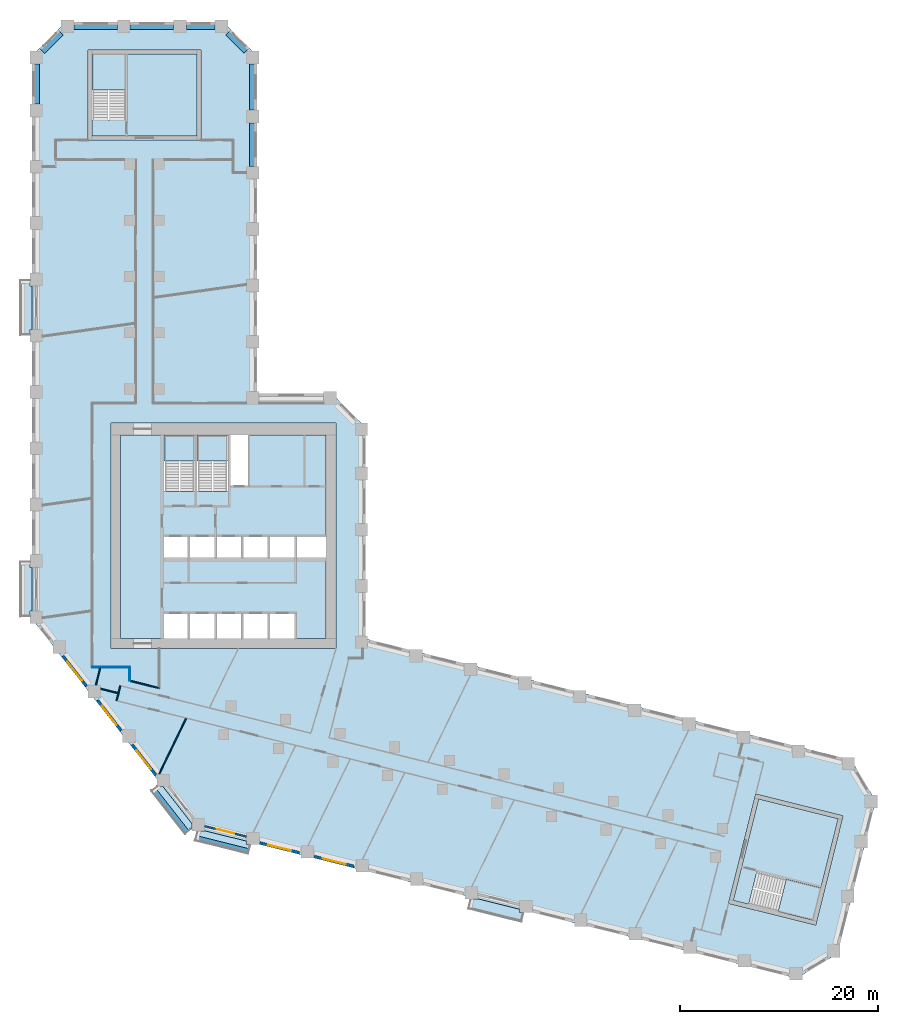
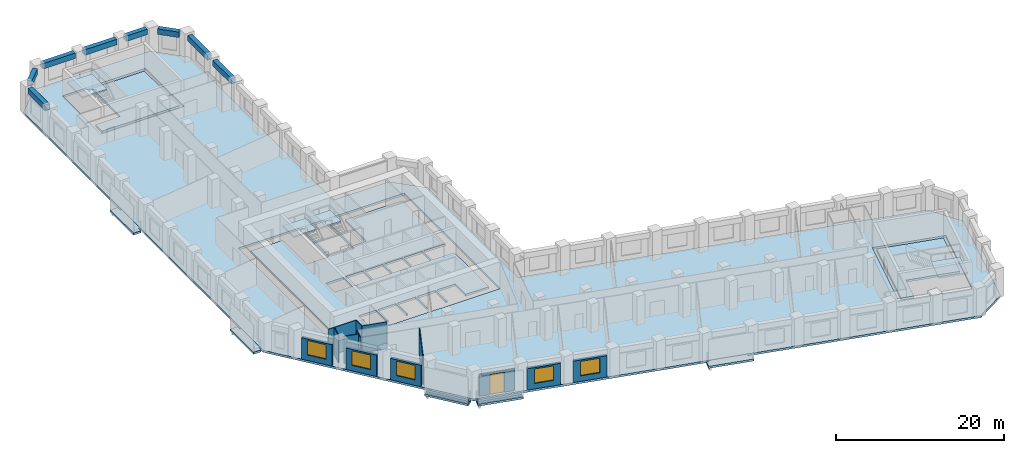
# One storey, part 2 of 11: 15 walls, 13 slabs, 8 beams, 5 windows, 1 door, 6 openings, 4 elements without a shape of their own.
"""IFC4 building model written with IfcOpenShell, lengths in metres."""

from ifc_helpers import new_model, si_unit, direction, frame, frame_2d, origin, origin_2d, place, context, subcontext, project, spatial, polyline, rectangle, outline, extrude, material, layer, layer_set, material_profile, profile_set, type_object, element, fill, aggregate, save


model = new_model("IFC4")

# Units and contexts
model_context = context("Model", 3, precision=1e-05, world=origin(), true_north=direction((0.0, 1.0)))
body_context = subcontext(model_context, "Body", "Model", "MODEL_VIEW")
ifc_project = project(units=[si_unit("LENGTHUNIT", "METRE"), si_unit("AREAUNIT", "SQUARE_METRE"), si_unit("VOLUMEUNIT", "CUBIC_METRE"), si_unit("PLANEANGLEUNIT", "RADIAN"), si_unit("MASSUNIT", "GRAM", prefix="KILO")], contexts=[model_context])

# Site, building, storey
site_placement = place(None, origin())
site = spatial("IfcSite", under=ifc_project, at=site_placement, CompositionType="ELEMENT")
building_placement = place(site_placement, origin())
building = spatial("IfcBuilding", under=site, at=building_placement, Name="Meshkara Civic Tower", CompositionType="ELEMENT")
storey_placement = place(building_placement, frame((0.0, 0.0, 105.60009765625)))
storey = spatial("IfcBuildingStorey", under=building, at=storey_placement, Name="L23", CompositionType="ELEMENT", Elevation=105.60009765625)

# Beams
ifc_material_1 = material(Name="Concrete C70", Category="concrete")
ifc_material_profile = material_profile(ifc_material_1, rectangle(XDim=0.60009765625, YDim=0.800048828125, at=origin_2d()))
ifc_profile_set = profile_set([ifc_material_profile], Name="Concrete C70")
beam_type = type_object("IfcBeamType", Name="Spandrel beam RC 600x800 C70", PredefinedType="BEAM", material=ifc_profile_set)
beam_1_placement = place(storey_placement, frame((22.35009765625, 62.89501953125, 3.5), z_axis=(0.0, 1.0, 0.0), x_axis=(-1.0, 0.0, 0.0)))
element("IfcBeam", 1, at=beam_1_placement, inside=storey, type_object=beam_type, Name="Spandrel beam AE04-AE05", PredefinedType="BEAM", context=body_context, shape_type="SweptSolid", body=[
    extrude(rectangle(XDim=0.60009765625, YDim=0.800048828125, at=origin_2d()), origin(), (0.0, 0.0, 1.0), 4.409912109375),
])
beam_2_placement = place(storey_placement, frame((22.35009765625, 68.594970703125, 3.5), z_axis=(0.0, 1.0, 0.0), x_axis=(-1.0, 0.0, 0.0)))
element("IfcBeam", 2, at=beam_2_placement, inside=storey, type_object=beam_type, Name="Spandrel beam AE05-AEEP1", PredefinedType="BEAM", context=body_context, shape_type="SweptSolid", body=[
    extrude(rectangle(XDim=0.60009765625, YDim=0.800048828125, at=origin_2d()), origin(), (0.0, 0.0, 1.0), 4.674072265625),
])
beam_3_placement = place(storey_placement, frame((21.70361328125, 74.560546875, 3.5), z_axis=(-0.707106781187, 0.707106781187, 0.0), x_axis=(-0.707106781187, -0.707106781187, 0.0)))
element("IfcBeam", 3, at=beam_3_placement, inside=storey, type_object=beam_type, Name="Spandrel beam AEEP1-ATiEP1", PredefinedType="BEAM", context=body_context, shape_type="SweptSolid", body=[
    extrude(rectangle(XDim=0.60009765625, YDim=0.800048828125, at=origin_2d()), origin(), (0.0, 0.0, 1.0), 2.634765625),
])
beam_4_placement = place(storey_placement, frame((18.549072265625, 77.070068359375, 3.5), z_axis=(-1.0, 0.0, 0.0), x_axis=(0.0, -1.0, 0.0)))
element("IfcBeam", 4, at=beam_4_placement, inside=storey, type_object=beam_type, Name="Spandrel beam AT02-P1-ATiEP1", PredefinedType="BEAM", context=body_context, shape_type="SweptSolid", body=[
    extrude(rectangle(XDim=0.60009765625, YDim=0.800048828125, at=origin_2d()), origin(), (0.0, 0.0, 1.0), 2.898193359375),
])
beam_5_placement = place(storey_placement, frame((14.361083984375, 77.070068359375, 3.5), z_axis=(-1.0, 0.0, 0.0), x_axis=(0.0, -1.0, 0.0)))
element("IfcBeam", 5, at=beam_5_placement, inside=storey, type_object=beam_type, Name="Spandrel beam AT01-P1-AT02-P1", PredefinedType="BEAM", context=body_context, shape_type="SweptSolid", body=[
    extrude(rectangle(XDim=0.60009765625, YDim=0.800048828125, at=origin_2d()), origin(), (0.0, 0.0, 1.0), 4.41015625),
])
beam_6_placement = place(storey_placement, frame((8.660888671875, 77.070068359375, 3.5), z_axis=(-1.0, 0.0, 0.0), x_axis=(0.0, -1.0, 0.0)))
element("IfcBeam", 6, at=beam_6_placement, inside=storey, type_object=beam_type, Name="Spandrel beam AT00-P1-AT01-P1", PredefinedType="BEAM", context=body_context, shape_type="SweptSolid", body=[
    extrude(rectangle(XDim=0.60009765625, YDim=0.800048828125, at=origin_2d()), origin(), (0.0, 0.0, 1.0), 4.409912109375),
])
beam_7_placement = place(storey_placement, frame((2.95947265625, 76.423583984375, 3.5), z_axis=(-0.707106781187, -0.707106781187, 0.0), x_axis=(0.707106781187, -0.707106781187, 0.0)))
element("IfcBeam", 7, at=beam_7_placement, inside=storey, type_object=beam_type, Name="Spandrel beam AT00-P1-ATo00-P1", PredefinedType="BEAM", context=body_context, shape_type="SweptSolid", body=[
    extrude(rectangle(XDim=0.60009765625, YDim=0.800048828125, at=origin_2d()), origin(), (0.0, 0.0, 1.0), 2.634765625),
])
beam_8_placement = place(storey_placement, frame((0.449951171875, 73.26904296875, 3.5), z_axis=(0.0, -1.0, 0.0), x_axis=(1.0, 0.0, 0.0)))
element("IfcBeam", 8, at=beam_8_placement, inside=storey, type_object=beam_type, Name="Spandrel beam ATo00-P1-AW09", PredefinedType="BEAM", context=body_context, shape_type="SweptSolid", body=[
    extrude(rectangle(XDim=0.60009765625, YDim=0.800048828125, at=origin_2d()), origin(), (0.0, 0.0, 1.0), 4.069091796875),
])

# Slabs
ifc_material_2 = material(Name="Concrete C40", Category="concrete")
ifc_layer_1 = layer(ifc_material_2, 0.300048828125)
ifc_layer_set_1 = layer_set([ifc_layer_1], Name="BALCONY SLAB")
slab_type_1 = type_object("IfcSlabType", Name="BALCONY SLAB", PredefinedType="FLOOR", material=ifc_layer_set_1)
slab_1_placement = place(storey_placement, frame((0.0, 0.0, -0.300048828125)))
element("IfcSlab", 9, at=slab_1_placement, inside=storey, type_object=slab_type_1, Name="Balcony slab", PredefinedType="FLOOR", context=body_context, shape_type="SweptSolid", body=[
    extrude(outline(polyline([(-1.199951171875, 45.81494140625), (-1.199951171875, 51.39501953125), (-0.199951171875, 51.39501953125), (-0.199951171875, 50.804931640625), (0.0, 50.804931640625), (0.0, 46.405029296875), (-0.199951171875, 46.405029296875), (-0.199951171875, 45.81494140625), (-1.199951171875, 45.81494140625)])), origin(), (0.0, 0.0, 1.0), 0.300048828125),
])
slab_2_placement = place(storey_placement, frame((0.0, 0.0, -0.300048828125)))
element("IfcSlab", 10, at=slab_2_placement, inside=storey, type_object=slab_type_1, Name="Balcony slab", PredefinedType="FLOOR", context=body_context, shape_type="SweptSolid", body=[
    extrude(outline(polyline([(-1.199951171875, 17.31494140625), (-1.199951171875, 22.89501953125), (-0.199951171875, 22.89501953125), (-0.199951171875, 22.304931640625), (0.0, 22.304931640625), (0.0, 17.905029296875), (-0.199951171875, 17.905029296875), (-0.199951171875, 17.31494140625), (-1.199951171875, 17.31494140625)])), origin(), (0.0, 0.0, 1.0), 0.300048828125),
])
slab_3_placement = place(storey_placement, frame((0.0, 0.0, -0.300048828125)))
element("IfcSlab", 11, at=slab_3_placement, inside=storey, type_object=slab_type_1, Name="Balcony slab", PredefinedType="FLOOR", context=body_context, shape_type="SweptSolid", body=[
    extrude(outline(polyline([(15.513916015625, -4.7060546875), (12.0791015625, -0.30908203125), (12.69189453125, 0.169921875), (12.69189453125, 0.10400390625), (13.279052734375, 0.10400390625), (16.200927734375, -3.636962890625), (16.200927734375, -4.169921875), (15.513916015625, -4.7060546875)])), origin(), (0.0, 0.0, 1.0), 0.300048828125),
])
slab_4_placement = place(storey_placement, frame((0.0, 0.0, -0.300048828125)))
element("IfcSlab", 12, at=slab_4_placement, inside=storey, type_object=slab_type_1, Name="Balcony slab", PredefinedType="FLOOR", context=body_context, shape_type="SweptSolid", body=[
    extrude(outline(polyline([(21.925048828125, -6.702880859375), (16.510009765625, -5.35302734375), (16.7509765625, -4.387939453125), (17.5009765625, -4.387939453125), (17.5009765625, -4.364013671875), (21.73193359375, -5.41796875), (21.73193359375, -5.76708984375), (22.157958984375, -5.76708984375), (21.925048828125, -6.702880859375)])), origin(), (0.0, 0.0, 1.0), 0.300048828125),
])
slab_5_placement = place(storey_placement, frame((0.0, 0.0, -0.300048828125)))
element("IfcSlab", 13, at=slab_5_placement, inside=storey, type_object=slab_type_1, Name="Balcony slab", PredefinedType="FLOOR", context=body_context, shape_type="SweptSolid", body=[
    extrude(outline(polyline([(49.577880859375, -13.597900390625), (44.1640625, -12.248046875), (44.405029296875, -11.281982421875), (45.155029296875, -11.281982421875), (45.155029296875, -11.258056640625), (49.385009765625, -12.31298828125), (49.385009765625, -12.660888671875), (49.81103515625, -12.660888671875), (49.577880859375, -13.597900390625)])), origin(), (0.0, 0.0, 1.0), 0.300048828125),
])
ifc_material_3 = material(Name="Concrete C40/50", Category="concrete")
ifc_layer_2 = layer(ifc_material_3, 0.300048828125)
ifc_layer_set_2 = layer_set([ifc_layer_2], Name="Core floor slab 300 C40/50")
slab_type_2 = type_object("IfcSlabType", Name="Core floor slab 300 C40/50", PredefinedType="FLOOR", material=ifc_layer_set_2)
slab_6_placement = place(storey_placement, frame((0.0, 0.0, -0.300048828125)))
element("IfcSlab", 14, at=slab_6_placement, inside=storey, type_object=slab_type_2, Name="Core floor K", PredefinedType="FLOOR", context=body_context, shape_type="SweptSolid", body=[
    extrude(outline(polyline([(9.0, 35.699951171875), (13.39990234375, 35.699951171875), (13.39990234375, 30.00146484375), (16.5, 30.00146484375), (16.5, 35.699951171875), (16.699951171875, 35.699951171875), (16.699951171875, 30.00146484375), (19.89990234375, 30.00146484375), (19.89990234375, 35.699951171875), (20.10009765625, 35.699951171875), (20.10009765625, 30.574951171875), (21.925048828125, 30.574951171875), (21.925048828125, 35.699951171875), (29.800048828125, 35.699951171875), (29.800048828125, 25.39990234375), (26.800048828125, 25.39990234375), (26.800048828125, 23.300048828125), (29.800048828125, 23.300048828125), (29.800048828125, 15.10009765625), (26.60009765625, 15.10009765625), (26.60009765625, 17.60009765625), (24.10009765625, 17.60009765625), (24.10009765625, 15.10009765625), (23.89990234375, 15.10009765625), (23.89990234375, 17.60009765625), (21.39990234375, 17.60009765625), (21.39990234375, 15.10009765625), (21.199951171875, 15.10009765625), (21.199951171875, 17.60009765625), (18.699951171875, 17.60009765625), (18.699951171875, 15.10009765625), (18.5, 15.10009765625), (18.5, 17.60009765625), (16.0, 17.60009765625), (16.0, 15.10009765625), (15.800048828125, 15.10009765625), (15.800048828125, 17.60009765625), (13.39990234375, 17.60009765625), (13.39990234375, 15.10009765625), (9.0, 15.10009765625), (9.0, 35.699951171875)]), holes=[polyline([(13.39990234375, 25.39990234375), (13.39990234375, 23.300048828125), (15.800048828125, 23.300048828125), (15.800048828125, 25.39990234375), (13.39990234375, 25.39990234375)]), polyline([(18.5, 23.300048828125), (18.5, 25.39990234375), (16.0, 25.39990234375), (16.0, 23.300048828125), (18.5, 23.300048828125)]), polyline([(18.699951171875, 25.39990234375), (18.699951171875, 23.300048828125), (21.199951171875, 23.300048828125), (21.199951171875, 25.39990234375), (18.699951171875, 25.39990234375)]), polyline([(23.89990234375, 23.300048828125), (23.89990234375, 25.39990234375), (21.39990234375, 25.39990234375), (21.39990234375, 23.300048828125), (23.89990234375, 23.300048828125)]), polyline([(26.60009765625, 23.300048828125), (26.60009765625, 25.39990234375), (24.10009765625, 25.39990234375), (24.10009765625, 23.300048828125), (26.60009765625, 23.300048828125)])]), origin(), (0.0, 0.0, 1.0), 0.300048828125),
])
slab_7_placement = place(storey_placement, frame((0.0, 0.0, -0.300048828125)))
element("IfcSlab", 15, at=slab_7_placement, inside=storey, type_object=slab_type_2, Name="Core floor EA", PredefinedType="FLOOR", context=body_context, shape_type="SweptSolid", body=[
    extrude(outline(polyline([(16.699951171875, 65.969970703125), (16.699951171875, 74.27001953125), (9.5, 74.27001953125), (9.5, 67.571533203125), (6.10009765625, 67.571533203125), (6.10009765625, 65.969970703125), (16.699951171875, 65.969970703125)])), origin(), (0.0, 0.0, 1.0), 0.300048828125),
])
slab_8_placement = place(storey_placement, frame((0.0, 0.0, -0.300048828125)))
element("IfcSlab", 16, at=slab_8_placement, inside=storey, type_object=slab_type_2, Name="Core floor EB", PredefinedType="FLOOR", context=body_context, shape_type="SweptSolid", body=[
    extrude(outline(polyline([(73.581298828125, -1.134521484375), (81.634521484375, -3.142578125), (79.892822265625, -10.128662109375), (73.393310546875, -8.508056640625), (72.57080078125, -11.80712890625), (71.016845703125, -11.419677734375), (73.581298828125, -1.134521484375)])), origin(), (0.0, 0.0, 1.0), 0.300048828125),
])

# Stair, slab
ifc_material_4 = material(Name="Precast concrete C40/50", Category="concrete")
stair_type_1 = type_object("IfcStairType", Name="Exit stair half-turn 24 risers precast", PredefinedType="HALF_TURN_STAIR", material=ifc_material_4)
stair_1_placement = place(storey_placement, origin())
stair_1 = element("IfcStair", 17, at=stair_1_placement, inside=storey, type_object=stair_type_1, Name="L23 exit stair 1", PredefinedType="HALF_TURN_STAIR")
ifc_material_5 = material(Name="Precast concrete C40/50", Category="concrete")
ifc_layer_3 = layer(ifc_material_5, 0.199951171875)
ifc_layer_set_3 = layer_set([ifc_layer_3], Name="Exit stair landing 200")
slab_type_3 = type_object("IfcSlabType", Name="Exit stair landing 200", PredefinedType="LANDING", material=ifc_layer_set_3)
slab_9_placement = place(storey_placement, frame((0.0, 0.0, 1.89990234375)))
slab_9 = element("IfcSlab", 18, at=slab_9_placement, type_object=slab_type_3, Name="ST1 landing 1", PredefinedType="LANDING", context=body_context, shape_type="SweptSolid", body=[
    extrude(outline(polyline([(16.5, 33.07861328125), (16.5, 35.699951171875), (13.39990234375, 35.699951171875), (13.39990234375, 33.07861328125), (16.5, 33.07861328125)])), origin(), (0.0, 0.0, 1.0), 0.199951171875),
])
aggregate(stair_1, [slab_9])

stair_2_placement = place(storey_placement, origin())
stair_2 = element("IfcStair", 19, at=stair_2_placement, inside=storey, type_object=stair_type_1, Name="L23 exit stair 2", PredefinedType="HALF_TURN_STAIR")
slab_10_placement = place(storey_placement, frame((0.0, 0.0, 1.89990234375)))
slab_10 = element("IfcSlab", 20, at=slab_10_placement, type_object=slab_type_3, Name="ST2 landing 1", PredefinedType="LANDING", context=body_context, shape_type="SweptSolid", body=[
    extrude(outline(polyline([(19.89990234375, 33.07861328125), (19.89990234375, 35.699951171875), (16.699951171875, 35.699951171875), (16.699951171875, 33.07861328125), (19.89990234375, 33.07861328125)])), origin(), (0.0, 0.0, 1.0), 0.199951171875),
])
aggregate(stair_2, [slab_10])

ifc_material_6 = material(Name="Precast concrete C40/50", Category="concrete")
stair_type_2 = type_object("IfcStairType", Name="Exit stair half-turn 24 risers 1600 precast", PredefinedType="HALF_TURN_STAIR", material=ifc_material_6)
stair_3_placement = place(storey_placement, origin())
stair_3 = element("IfcStair", 21, at=stair_3_placement, inside=storey, type_object=stair_type_2, Name="L23 exit stair A from L20", PredefinedType="HALF_TURN_STAIR")
slab_11_placement = place(storey_placement, frame((0.0, 0.0, 1.89990234375)))
slab_11 = element("IfcSlab", 22, at=slab_11_placement, type_object=slab_type_3, Name="ESA2 landing 1", PredefinedType="LANDING", context=body_context, shape_type="SweptSolid", body=[
    extrude(outline(polyline([(9.5, 70.6484375), (9.5, 74.27001953125), (6.10009765625, 74.27001953125), (6.10009765625, 70.6484375), (9.5, 70.6484375)])), origin(), (0.0, 0.0, 1.0), 0.199951171875),
])
aggregate(stair_3, [slab_11])

stair_4_placement = place(storey_placement, origin())
stair_4 = element("IfcStair", 23, at=stair_4_placement, inside=storey, type_object=stair_type_2, Name="L23 exit stair B from L20", PredefinedType="HALF_TURN_STAIR")
slab_12_placement = place(storey_placement, frame((0.0, 0.0, 1.89990234375)))
slab_12 = element("IfcSlab", 24, at=slab_12_placement, type_object=slab_type_3, Name="ESB2 landing 1", PredefinedType="LANDING", context=body_context, shape_type="SweptSolid", body=[
    extrude(outline(polyline([(75.5556640625, -12.55224609375), (79.06982421875, -13.428955078125), (79.89306640625, -10.12890625), (76.379150390625, -9.25244140625), (75.5556640625, -12.55224609375)])), origin(), (0.0, 0.0, 1.0), 0.199951171875),
])
aggregate(stair_4, [slab_12])

# Slab
ifc_material_7 = material(Name="Concrete C50", Category="concrete")
ifc_layer_4 = layer(ifc_material_7, 0.300048828125)
ifc_layer_set_4 = layer_set([ifc_layer_4], Name="Post-tensioned flat slab 300 C50")
slab_type_4 = type_object("IfcSlabType", Name="Post-tensioned flat slab 300 C50", PredefinedType="FLOOR", material=ifc_layer_set_4)
slab_13_placement = place(storey_placement, frame((0.0, 0.0, -0.300048828125)))
element("IfcSlab", 25, at=slab_13_placement, inside=storey, type_object=slab_type_4, Name="Post-tensioned flat slab L23", PredefinedType="FLOOR", context=body_context, shape_type="SweptSolid", body=[
    extrude(outline(polyline([(81.574951171875, -16.81396484375), (77.429931640625, -19.304931640625), (16.592041015625, -4.136962890625), (0.0, 17.10009765625), (0.0, 74.10009765625), (3.419921875, 77.52001953125), (19.3798828125, 77.52001953125), (22.800048828125, 74.10009765625), (22.800048828125, 39.89990234375), (30.3798828125, 39.89990234375), (33.800048828125, 36.47998046875), (33.800048828125, 15.071044921875), (82.945068359375, 2.81689453125), (85.43603515625, -1.327880859375), (81.574951171875, -16.81396484375)]), holes=[polyline([(79.362060546875, -13.9130859375), (82.1201171875, -2.85107421875), (73.2900390625, -0.64990234375), (70.531982421875, -11.7109375), (79.362060546875, -13.9130859375)]), polyline([(8.0, 14.10009765625), (30.800048828125, 14.10009765625), (30.800048828125, 36.89990234375), (8.0, 36.89990234375), (8.0, 14.10009765625)]), polyline([(5.699951171875, 74.669921875), (5.699951171875, 65.570068359375), (17.10009765625, 65.570068359375), (17.10009765625, 74.669921875), (5.699951171875, 74.669921875)])]), origin(), (0.0, 0.0, 1.0), 0.300048828125),
])

# Walls
ifc_material_8 = material(Name="Corridor wall 100")
ifc_layer_5 = layer(ifc_material_8, 0.10009765625)
ifc_layer_set_5 = layer_set([ifc_layer_5], Name="Corridor wall 100")
wall_type_1 = type_object("IfcWallType", Name="Corridor wall 100", PredefinedType="PARTITIONING", material=ifc_layer_set_5)
wall_1_placement = place(storey_placement, frame((6.10009765625, 12.199951171875, 0.0), z_axis=(0.0, 0.0, 1.0), x_axis=(1.0, 0.0, 0.0)))
element("IfcWall", 26, at=wall_1_placement, inside=storey, type_object=wall_type_1, Name="L23-W005", PredefinedType="PARTITIONING", context=body_context, shape_type="SweptSolid", body=[
    extrude(rectangle(XDim=3.7998046875, YDim=0.10009765625, at=frame_2d((1.89990234375, 0.0))), origin(), (0.0, 0.0, 1.0), 3.89990234375),
])
wall_2_placement = place(storey_placement, frame((8.9580078125, 10.322998046875, 0.0), z_axis=(0.0, 0.0, 1.0), x_axis=(-0.241875508386, -0.97030729073, 0.0)))
element("IfcWall", 27, at=wall_2_placement, inside=storey, type_object=wall_type_1, Name="L23-W008", PredefinedType="PARTITIONING", context=body_context, shape_type="SweptSolid", body=[
    extrude(rectangle(XDim=1.566650390625, YDim=0.10009765625, at=frame_2d((0.783203125, 0.0))), origin(), (0.0, 0.0, 1.0), 3.89990234375),
])
wall_3_placement = place(storey_placement, frame((9.89990234375, 10.825927734375, 0.0), z_axis=(0.0, 0.0, 1.0), x_axis=(0.970290953223, -0.241941038466, 0.0)))
element("IfcWall", 28, at=wall_3_placement, inside=storey, type_object=wall_type_1, Name="L23-W009", PredefinedType="PARTITIONING", context=body_context, shape_type="SweptSolid", body=[
    extrude(rectangle(XDim=3.091796875, YDim=0.10009765625, at=frame_2d((1.5458984375, 0.0))), origin(), (0.0, 0.0, 1.0), 3.89990234375),
])
wall_4_placement = place(storey_placement, frame((9.89990234375, 12.199951171875, 0.0), z_axis=(0.0, 0.0, 1.0), x_axis=(0.0, -1.0, 0.0)))
element("IfcWall", 29, at=wall_4_placement, inside=storey, type_object=wall_type_1, Name="L23-W010", PredefinedType="PARTITIONING", context=body_context, shape_type="SweptSolid", body=[
    extrude(rectangle(XDim=1.3740234375, YDim=0.10009765625, at=frame_2d((0.68701171875, 0.0))), origin(), (0.0, 0.0, 1.0), 3.89990234375),
])

# Wall, opening, window
ifc_material_9 = material(Name="Insulated infill panel with bronze anodised aluminium cladding", Category="aluminium")
ifc_layer_6 = layer(ifc_material_9, 0.300048828125)
ifc_layer_set_6 = layer_set([ifc_layer_6], Name="EXTERNAL INFILL WALL 300")
wall_type_2 = type_object("IfcWallType", Name="EXTERNAL INFILL WALL 300", PredefinedType="SOLIDWALL", material=ifc_layer_set_6)
wall_5_placement = place(storey_placement, frame((3.138916015625, 13.324951171875, 0.0), z_axis=(0.0, 0.0, 1.0), x_axis=(0.615779754703, -0.787918329332, 0.0)))
wall_5 = element("IfcWall", 30, at=wall_5_placement, inside=storey, type_object=wall_type_2, Name="External wall", PredefinedType="SOLIDWALL", context=body_context, shape_type="SweptSolid", body=[
    extrude(rectangle(XDim=3.874755859375, YDim=0.300048828125, at=frame_2d((1.9375, 0.0))), origin(), (0.0, 0.0, 1.0), 3.099853515625),
])
opening_1_placement = place(wall_5_placement, frame((0.738037109375, 0.0, 0.800048828125)))
opening_1 = element("IfcOpeningElement", 31, at=opening_1_placement, cuts=wall_5, Name="Opening W7", PredefinedType="OPENING", context=body_context, shape_type="SweptSolid", body=[
    extrude(rectangle(XDim=2.39990234375, YDim=2.10009765625, at=frame_2d((1.199951171875, 1.050048828125))), frame((0.0, 0.159912109375, 0.0), z_axis=(0.0, -1.0, 0.0), x_axis=(1.0, 0.0, 0.0)), (0.0, 0.0, 1.0), 0.320068359375),
])
ifc_material_10 = material(Name="Tinted double glazing", Category="glass")
window_type = type_object("IfcWindowType", Name="WINDOW 2400x2100", PartitioningType="DOUBLE_PANEL_VERTICAL", PredefinedType="WINDOW", material=ifc_material_10)
window_1_placement = place(opening_1_placement, origin())
window_1 = element("IfcWindow", 32, at=window_1_placement, inside=storey, type_object=window_type, Name="Window", OverallHeight=2.10009765625, OverallWidth=2.39990234375, PartitioningType="DOUBLE_PANEL_VERTICAL", PredefinedType="WINDOW", context=body_context, shape_type="SweptSolid", body=[
    extrude(rectangle(XDim=2.39990234375, YDim=2.10009765625, at=frame_2d((1.199951171875, 1.050048828125))), frame((0.0, 0.030029296875, 0.0), z_axis=(0.0, -1.0, 0.0), x_axis=(1.0, 0.0, 0.0)), (0.0, 0.0, 1.0), 0.06005859375),
])
fill(opening_1, window_1)

wall_6_placement = place(storey_placement, frame((6.64892578125, 8.833984375, 0.0), z_axis=(0.0, 0.0, 1.0), x_axis=(0.615535257281, -0.788109349674, 0.0)))
wall_6 = element("IfcWall", 33, at=wall_6_placement, inside=storey, type_object=wall_type_2, Name="External wall", PredefinedType="SOLIDWALL", context=body_context, shape_type="SweptSolid", body=[
    extrude(rectangle(XDim=3.876220703125, YDim=0.300048828125, at=frame_2d((1.93798828125, 0.0))), origin(), (0.0, 0.0, 1.0), 3.099853515625),
])
opening_2_placement = place(wall_6_placement, frame((0.738037109375, 0.0, 0.800048828125)))
opening_2 = element("IfcOpeningElement", 34, at=opening_2_placement, cuts=wall_6, Name="Opening W7", PredefinedType="OPENING", context=body_context, shape_type="SweptSolid", body=[
    extrude(rectangle(XDim=2.39990234375, YDim=2.10009765625, at=frame_2d((1.199951171875, 1.050048828125))), frame((0.0, 0.159912109375, 0.0), z_axis=(0.0, -1.0, 0.0), x_axis=(1.0, 0.0, 0.0)), (0.0, 0.0, 1.0), 0.320068359375),
])
window_2_placement = place(opening_2_placement, origin())
window_2 = element("IfcWindow", 35, at=window_2_placement, inside=storey, type_object=window_type, Name="Window", OverallHeight=2.10009765625, OverallWidth=2.39990234375, PartitioningType="DOUBLE_PANEL_VERTICAL", PredefinedType="WINDOW", context=body_context, shape_type="SweptSolid", body=[
    extrude(rectangle(XDim=2.39990234375, YDim=2.10009765625, at=frame_2d((1.199951171875, 1.050048828125))), frame((0.0, 0.030029296875, 0.0), z_axis=(0.0, -1.0, 0.0), x_axis=(1.0, 0.0, 0.0)), (0.0, 0.0, 1.0), 0.06005859375),
])
fill(opening_2, window_2)

wall_7_placement = place(storey_placement, frame((10.157958984375, 4.341064453125, 0.0), z_axis=(0.0, 0.0, 1.0), x_axis=(0.615779754703, -0.787918329332, 0.0)))
wall_7 = element("IfcWall", 36, at=wall_7_placement, inside=storey, type_object=wall_type_2, Name="External wall", PredefinedType="SOLIDWALL", context=body_context, shape_type="SweptSolid", body=[
    extrude(rectangle(XDim=3.874755859375, YDim=0.300048828125, at=frame_2d((1.9375, 0.0))), origin(), (0.0, 0.0, 1.0), 3.099853515625),
])
opening_3_placement = place(wall_7_placement, frame((0.737060546875, 0.0, 0.800048828125)))
opening_3 = element("IfcOpeningElement", 37, at=opening_3_placement, cuts=wall_7, Name="Opening W7", PredefinedType="OPENING", context=body_context, shape_type="SweptSolid", body=[
    extrude(rectangle(XDim=2.39990234375, YDim=2.10009765625, at=frame_2d((1.199951171875, 1.050048828125))), frame((0.0, 0.159912109375, 0.0), z_axis=(0.0, -1.0, 0.0), x_axis=(1.0, 0.0, 0.0)), (0.0, 0.0, 1.0), 0.320068359375),
])
window_3_placement = place(opening_3_placement, origin())
window_3 = element("IfcWindow", 38, at=window_3_placement, inside=storey, type_object=window_type, Name="Window", OverallHeight=2.10009765625, OverallWidth=2.39990234375, PartitioningType="DOUBLE_PANEL_VERTICAL", PredefinedType="WINDOW", context=body_context, shape_type="SweptSolid", body=[
    extrude(rectangle(XDim=2.39990234375, YDim=2.10009765625, at=frame_2d((1.199951171875, 1.050048828125))), frame((0.0, 0.030029296875, 0.0), z_axis=(0.0, -1.0, 0.0), x_axis=(1.0, 0.0, 0.0)), (0.0, 0.0, 1.0), 0.06005859375),
])
fill(opening_3, window_3)

wall_8_placement = place(storey_placement, frame((23.073974609375, -5.597900390625, 0.0), z_axis=(0.0, 0.0, 1.0), x_axis=(0.970267747908, -0.242034083076, 0.0)))
wall_8 = element("IfcWall", 39, at=wall_8_placement, inside=storey, type_object=wall_type_2, Name="External wall", PredefinedType="SOLIDWALL", context=body_context, shape_type="SweptSolid", body=[
    extrude(rectangle(XDim=4.12353515625, YDim=0.300048828125, at=frame_2d((2.061767578125, 0.0))), origin(), (0.0, 0.0, 1.0), 3.099853515625),
])
opening_4_placement = place(wall_8_placement, frame((0.862060546875, 0.0, 0.800048828125)))
opening_4 = element("IfcOpeningElement", 40, at=opening_4_placement, cuts=wall_8, Name="Opening W7", PredefinedType="OPENING", context=body_context, shape_type="SweptSolid", body=[
    extrude(rectangle(XDim=2.39990234375, YDim=2.10009765625, at=frame_2d((1.199951171875, 1.050048828125))), frame((0.0, 0.159912109375, 0.0), z_axis=(0.0, -1.0, 0.0), x_axis=(1.0, 0.0, 0.0)), (0.0, 0.0, 1.0), 0.320068359375),
])
window_4_placement = place(opening_4_placement, origin())
window_4 = element("IfcWindow", 41, at=window_4_placement, inside=storey, type_object=window_type, Name="Window", OverallHeight=2.10009765625, OverallWidth=2.39990234375, PartitioningType="DOUBLE_PANEL_VERTICAL", PredefinedType="WINDOW", context=body_context, shape_type="SweptSolid", body=[
    extrude(rectangle(XDim=2.39990234375, YDim=2.10009765625, at=frame_2d((1.199951171875, 1.050048828125))), frame((0.0, 0.030029296875, 0.0), z_axis=(0.0, -1.0, 0.0), x_axis=(1.0, 0.0, 0.0)), (0.0, 0.0, 1.0), 0.06005859375),
])
fill(opening_4, window_4)

wall_9_placement = place(storey_placement, frame((28.60400390625, -6.97705078125, 0.0), z_axis=(0.0, 0.0, 1.0), x_axis=(0.970281616392, -0.241978480223, 0.0)))
wall_9 = element("IfcWall", 42, at=wall_9_placement, inside=storey, type_object=wall_type_2, Name="External wall", PredefinedType="SOLIDWALL", context=body_context, shape_type="SweptSolid", body=[
    extrude(rectangle(XDim=4.12451171875, YDim=0.300048828125, at=frame_2d((2.062255859375, 0.0))), origin(), (0.0, 0.0, 1.0), 3.099853515625),
])
opening_5_placement = place(wall_9_placement, frame((0.862060546875, 0.0, 0.800048828125)))
opening_5 = element("IfcOpeningElement", 43, at=opening_5_placement, cuts=wall_9, Name="Opening W7", PredefinedType="OPENING", context=body_context, shape_type="SweptSolid", body=[
    extrude(rectangle(XDim=2.39990234375, YDim=2.10009765625, at=frame_2d((1.199951171875, 1.050048828125))), frame((0.0, 0.159912109375, 0.0), z_axis=(0.0, -1.0, 0.0), x_axis=(1.0, 0.0, 0.0)), (0.0, 0.0, 1.0), 0.320068359375),
])
window_5_placement = place(opening_5_placement, origin())
window_5 = element("IfcWindow", 44, at=window_5_placement, inside=storey, type_object=window_type, Name="Window", OverallHeight=2.10009765625, OverallWidth=2.39990234375, PartitioningType="DOUBLE_PANEL_VERTICAL", PredefinedType="WINDOW", context=body_context, shape_type="SweptSolid", body=[
    extrude(rectangle(XDim=2.39990234375, YDim=2.10009765625, at=frame_2d((1.199951171875, 1.050048828125))), frame((0.0, 0.030029296875, 0.0), z_axis=(0.0, -1.0, 0.0), x_axis=(1.0, 0.0, 0.0)), (0.0, 0.0, 1.0), 0.06005859375),
])
fill(opening_5, window_5)

# Wall, opening, door
ifc_material_11 = material(Name="Insulated infill panel with bronze anodised aluminium cladding", Category="aluminium")
ifc_layer_7 = layer(ifc_material_11, 0.199951171875)
ifc_layer_set_7 = layer_set([ifc_layer_7], Name="LOGGIA BACK WALL 200")
wall_type_3 = type_object("IfcWallType", Name="LOGGIA BACK WALL 200", PredefinedType="SOLIDWALL", material=ifc_layer_set_7)
wall_10_placement = place(storey_placement, frame((17.5009765625, -3.89990234375, 0.0), z_axis=(0.0, 0.0, 1.0), x_axis=(0.970280666889, -0.241982287495, 0.0)))
wall_10 = element("IfcWall", 45, at=wall_10_placement, inside=storey, type_object=wall_type_3, Name="Loggia wall", PredefinedType="SOLIDWALL", context=body_context, shape_type="SweptSolid", body=[
    extrude(rectangle(XDim=4.360595703125, YDim=0.199951171875, at=frame_2d((2.18017578125, 0.0))), origin(), (0.0, 0.0, 1.0), 3.099853515625),
])
opening_6_placement = place(wall_10_placement, frame((1.280029296875, 0.0, 0.0)))
opening_6 = element("IfcOpeningElement", 46, at=opening_6_placement, cuts=wall_10, Name="Opening L23-L004", PredefinedType="OPENING", context=body_context, shape_type="SweptSolid", body=[
    extrude(rectangle(XDim=1.800048828125, YDim=2.89990234375, at=frame_2d((0.89990234375, 1.449951171875))), frame((0.0, 0.10986328125, 0.0), z_axis=(0.0, -1.0, 0.0), x_axis=(1.0, 0.0, 0.0)), (0.0, 0.0, 1.0), 0.219970703125),
])
ifc_material_12 = material(Name="Tinted double glazing", Category="glass")
door_type = type_object("IfcDoorType", Name="LOGGIA DOOR 1800x2900", OperationType="DOUBLE_DOOR_SINGLE_SWING", PredefinedType="DOOR", material=ifc_material_12)
door_placement = place(opening_6_placement, origin())
door = element("IfcDoor", 47, at=door_placement, inside=storey, type_object=door_type, Name="L23-L004", OperationType="DOUBLE_DOOR_SINGLE_SWING", OverallHeight=2.89990234375, OverallWidth=1.800048828125, PredefinedType="DOOR", context=body_context, shape_type="SweptSolid", body=[
    extrude(rectangle(XDim=1.800048828125, YDim=2.89990234375, at=frame_2d((0.89990234375, 1.449951171875))), frame((0.0, 0.02490234375, 0.0), z_axis=(0.0, -1.0, 0.0), x_axis=(1.0, 0.0, 0.0)), (0.0, 0.0, 1.0), 0.050048828125),
])
fill(opening_6, door)

# Walls
ifc_material_13 = material(Name="Concrete C40", Category="concrete")
ifc_layer_8 = layer(ifc_material_13, 0.39990234375)
ifc_layer_set_8 = layer_set([ifc_layer_8], Name="PLANTER TRAY")
wall_type_4 = type_object("IfcWallType", Name="PLANTER TRAY", PredefinedType="SOLIDWALL", material=ifc_layer_set_8)
wall_11_placement = place(storey_placement, frame((12.39794921875, -0.198974609375, 0.0), z_axis=(0.0, 0.0, 1.0), x_axis=(0.615638738903, -0.788028516719, 0.0)))
element("IfcWall", 48, at=wall_11_placement, inside=storey, type_object=wall_type_4, Name="Planter", PredefinedType="SOLIDWALL", context=body_context, shape_type="SweptSolid", body=[
    extrude(rectangle(XDim=5.3603515625, YDim=0.39990234375, at=frame_2d((2.68017578125, 0.0))), origin(), (0.0, 0.0, 1.0), 0.2998046875),
])
wall_12_placement = place(storey_placement, frame((16.694091796875, -5.069091796875, 0.0), z_axis=(0.0, 0.0, 1.0), x_axis=(0.970289679319, -0.241946147329, 0.0)))
element("IfcWall", 49, at=wall_12_placement, inside=storey, type_object=wall_type_4, Name="Planter", PredefinedType="SOLIDWALL", context=body_context, shape_type="SweptSolid", body=[
    extrude(rectangle(XDim=5.360107421875, YDim=0.39990234375, at=frame_2d((2.68017578125, 0.0))), origin(), (0.0, 0.0, 1.0), 0.2998046875),
])
ifc_material_14 = material(Name="Partition 100")
ifc_layer_9 = layer(ifc_material_14, 0.10009765625)
ifc_layer_set_9 = layer_set([ifc_layer_9], Name="Partition 100")
wall_type_5 = type_object("IfcWallType", Name="Partition 100", PredefinedType="PARTITIONING", material=ifc_layer_set_9)
wall_13_placement = place(storey_placement, frame((6.922119140625, 12.137939453125, 0.0), z_axis=(0.0, 0.0, 1.0), x_axis=(-0.242153635337, -0.970237917674, 0.0)))
element("IfcWall", 50, at=wall_13_placement, inside=storey, type_object=wall_type_5, Name="L23-W035", PredefinedType="PARTITIONING", context=body_context, shape_type="SweptSolid", body=[
    extrude(rectangle(XDim=1.8046875, YDim=0.10009765625, at=frame_2d((0.90234375, 0.0))), origin(), (0.0, 0.0, 1.0), 3.89990234375),
])
wall_14_placement = place(storey_placement, frame((8.718994140625, 9.574951171875, 0.0), z_axis=(0.0, 0.0, 1.0), x_axis=(-0.970333736057, 0.241769395645, 0.0)))
element("IfcWall", 51, at=wall_14_placement, inside=storey, type_object=wall_type_5, Name="L23-W036", PredefinedType="PARTITIONING", context=body_context, shape_type="SweptSolid", body=[
    extrude(rectangle(XDim=1.799560546875, YDim=0.10009765625, at=frame_2d((0.89990234375, 0.0))), origin(), (0.0, 0.0, 1.0), 3.89990234375),
])
wall_15_placement = place(storey_placement, frame((12.889892578125, 1.404052734375, 0.0), z_axis=(0.0, 0.0, 1.0), x_axis=(0.438326074561, 0.898816028095, 0.0)))
element("IfcWall", 52, at=wall_15_placement, inside=storey, type_object=wall_type_5, Name="L23-W038", PredefinedType="PARTITIONING", context=body_context, shape_type="SweptSolid", body=[
    extrude(rectangle(XDim=6.212646484375, YDim=0.10009765625, at=frame_2d((3.1064453125, 0.0))), origin(), (0.0, 0.0, 1.0), 3.89990234375),
])

save(model, "model.ifc")
